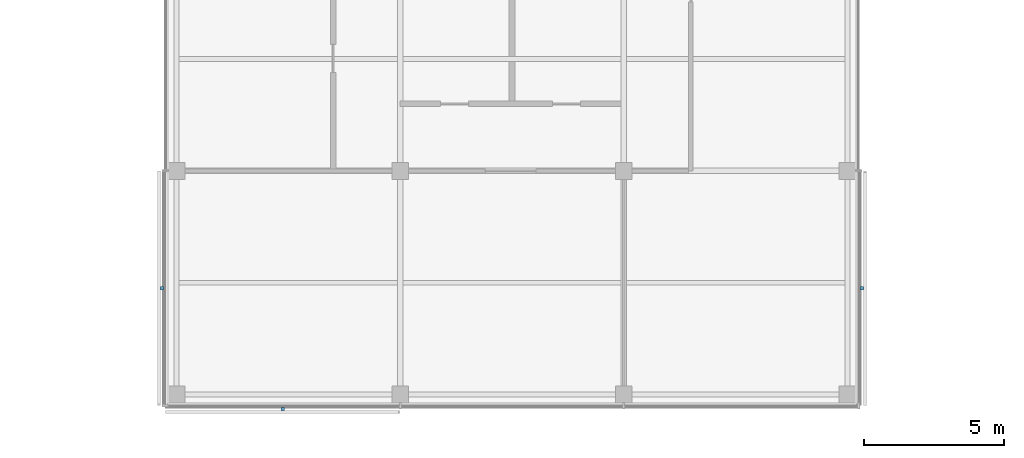
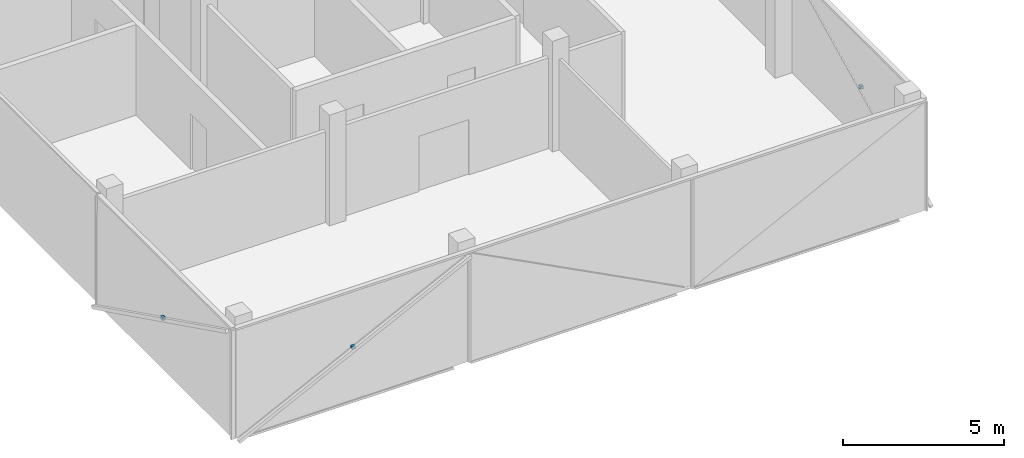
# One storey, part 13 of 15: 3 discrete accessories.
"""IFC4 building model written with IfcOpenShell, lengths in metres."""

import ifcopenshell
import ifcopenshell.guid

model = None  # the IFC model being written
_history = None  # IfcOwnerHistory: only IFC2X3 demands one
_inside = {}  # id of a spatial element -> (the spatial element, [elements in it])
_under = {}  # id of a project, library or spatial element -> (it, [spatial elements below it])
_declared = {}  # id of a project -> (the project, [libraries it declares])
_typed = {}  # id of a type object -> (the type object, [elements of that type])
_made_of = {}  # id of a material, layer set ... -> (it, [elements and type objects made of it])


def new_model(schema):
    """Start an empty IFC model of exactly this schema.

    Asked for "IFC4X3", IfcOpenShell would pick the latest addendum, in which some entities
    have other attributes; the version numbers below select the first issue.
    IFC2X3 requires an IfcOwnerHistory on every rooted entity: one is made here for all.
    """
    global model, _history
    if schema == "IFC4X3":
        model = ifcopenshell.file(schema_version=(4, 3, 0, 0))
    else:
        model = ifcopenshell.file(schema=schema)
    _inside.clear()
    _under.clear()
    _declared.clear()
    _typed.clear()
    _made_of.clear()
    _history = None
    if model.schema == "IFC2X3":
        org = make("IfcOrganization", Name="unknown")
        user = make(
            "IfcPersonAndOrganization",
            ThePerson=make("IfcPerson", FamilyName="unknown"),
            TheOrganization=org,
        )
        app = make(
            "IfcApplication",
            ApplicationDeveloper=org,
            Version="unknown",
            ApplicationFullName="unknown",
            ApplicationIdentifier="unknown",
        )
        _history = make(
            "IfcOwnerHistory",
            OwningUser=user,
            OwningApplication=app,
            ChangeAction="ADDED",
            CreationDate=0,
        )
    return model


def make(cls, **values):
    """One entity of the class cls with the attributes given. An attribute that is None is left unset."""
    return model.create_entity(
        cls, **{name: value for name, value in values.items() if value is not None}
    )


def rooted(cls, **values):
    """An entity with a GlobalId (a new one), such as an element, a storey or a relation."""
    return make(cls, GlobalId=ifcopenshell.guid.new(), OwnerHistory=_history, **values)


def si_unit(unit_type, name, prefix=None):
    """IfcSIUnit, for example si_unit("LENGTHUNIT", "METRE", prefix="MILLI")."""
    return make("IfcSIUnit", UnitType=unit_type, Prefix=prefix, Name=name)


def assignment(units):
    """IfcUnitAssignment: the units of a project."""
    return None if units is None else make("IfcUnitAssignment", Units=units)


def point(xyz):
    """IfcCartesianPoint."""
    return None if xyz is None else make("IfcCartesianPoint", Coordinates=xyz)


def direction(xyz):
    """IfcDirection."""
    return None if xyz is None else make("IfcDirection", DirectionRatios=xyz)


def frame(location, z_axis=None, x_axis=None):
    """IfcAxis2Placement3D, a coordinate frame: its origin and axes. An axis left out is left unset."""
    return make(
        "IfcAxis2Placement3D",
        Location=point(location),
        Axis=direction(z_axis),
        RefDirection=direction(x_axis),
    )


def frame_2d(location, x_axis=None):
    """IfcAxis2Placement2D, a coordinate frame in the plane: its origin and x axis."""
    return make(
        "IfcAxis2Placement2D", Location=point(location), RefDirection=direction(x_axis)
    )


def origin():
    """The frame at (0, 0, 0) with its axes left unset."""
    return frame((0.0, 0.0, 0.0))


def origin_2d():
    """The frame at (0, 0) in the plane with its x axis left unset."""
    return frame_2d((0.0, 0.0))


def place(relative_to, where):
    """IfcLocalPlacement: puts the frame where relative to a parent placement (None: the world)."""
    return make(
        "IfcLocalPlacement", PlacementRelTo=relative_to, RelativePlacement=where
    )


def context(
    kind, dimensions, precision=None, world=None, true_north=None, identifier=None
):
    """IfcGeometricRepresentationContext, for example the 3D "Model" context."""
    return make(
        "IfcGeometricRepresentationContext",
        ContextIdentifier=identifier,
        ContextType=kind,
        CoordinateSpaceDimension=dimensions,
        Precision=precision,
        WorldCoordinateSystem=world,
        TrueNorth=true_north,
    )


def subcontext(parent, identifier, kind, view, scale=None):
    """IfcGeometricRepresentationSubContext, for example "Body" below "Model"."""
    return make(
        "IfcGeometricRepresentationSubContext",
        ContextIdentifier=identifier,
        ContextType=kind,
        ParentContext=parent,
        TargetScale=scale,
        TargetView=view,
    )


def project(units=None, contexts=None):
    """IfcProject with its units and contexts."""
    return rooted(
        "IfcProject",
        Name="project",
        RepresentationContexts=contexts,
        UnitsInContext=assignment(units),
    )


def spatial(cls, under=None, at=None, **own):
    """A site, building, storey or space (cls), placed at a placement, below another one or the project."""
    s = rooted(cls, ObjectPlacement=at, **own)
    if under is not None:
        _under.setdefault(under.id(), (under, []))[1].append(s)
    return s


def profile(cls, at=None, kind="AREA", **sizes):
    """A parametric profile (cls). Its sizes go by their IFC names, for example OverallWidth=200.0."""
    return make(cls, ProfileType=kind, Position=at, **sizes)


def rectangle(**sizes):
    """IfcRectangleProfileDef."""
    return profile("IfcRectangleProfileDef", **sizes)


def extrude(swept, where, along, depth):
    """IfcExtrudedAreaSolid: the profile swept, set in the frame where, extruded along a direction by depth."""
    return make(
        "IfcExtrudedAreaSolid",
        SweptArea=swept,
        Position=where,
        ExtrudedDirection=direction(along),
        Depth=depth,
    )


def shape(context_of_items, identifier, shape_type, items):
    """IfcShapeRepresentation: the items that make up one representation, for example the "Body"."""
    return make(
        "IfcShapeRepresentation",
        ContextOfItems=context_of_items,
        RepresentationIdentifier=identifier,
        RepresentationType=shape_type,
        Items=items,
    )


def material(Name=None, Category=None):
    """IfcMaterial."""
    return make("IfcMaterial", Name=Name, Category=Category)


def made_of(thing, what):
    """Note that an element or type object is made of a material, layer set ...; save() writes the relation."""
    if what is not None:
        _made_of.setdefault(what.id(), (what, []))[1].append(thing)
    return thing


def type_object(cls, material=None, **own):
    """A type object (cls), such as IfcWallType, which elements share."""
    return made_of(rooted(cls, **own), material)


def element(
    cls,
    number,
    at=None,
    inside=None,
    cuts=None,
    type_object=None,
    material=None,
    context=None,
    identifier="Body",
    shape_type=None,
    held_by="IfcProductDefinitionShape",
    body=None,
    shapes=None,
    **own,
):
    """One element of the class cls, such as IfcWall. Its Tag is "e" and its number.

    at: its placement. inside: the storey or other place that contains it. cuts: it is an
    opening in that element (IfcRelVoidsElement). A single representation is given by context,
    identifier, shape_type and body (its items); several are given by shapes. held_by: the class
    of the entity that holds the representations. save() writes the other relations.
    """
    e = rooted(cls, Tag="e%d" % number, ObjectPlacement=at, **own)
    if body is not None:
        shapes = [shape(context, identifier, shape_type, body)]
    if shapes is not None:
        e.Representation = make(held_by, Representations=shapes)
    if inside is not None:
        _inside.setdefault(inside.id(), (inside, []))[1].append(e)
    if cuts is not None:
        rooted(
            "IfcRelVoidsElement", RelatingBuildingElement=cuts, RelatedOpeningElement=e
        )
    if type_object is not None:
        _typed.setdefault(type_object.id(), (type_object, []))[1].append(e)
    return made_of(e, material)


def aggregate(whole, parts):
    """IfcRelAggregates: a whole, such as a stair, and the parts it consists of."""
    return rooted("IfcRelAggregates", RelatingObject=whole, RelatedObjects=parts)


def save(model, path):
    """Write the relations noted so far, then the file.

    IfcRelAggregates (storeys below a building ...), IfcRelContainedInSpatialStructure (elements
    in a storey), IfcRelDefinesByType, IfcRelAssociatesMaterial and IfcRelDeclares: one each for
    every whole, place, type object, material and project.
    """
    for whole, parts in _under.values():
        aggregate(whole, parts)
    for where, things in _inside.values():
        rooted(
            "IfcRelContainedInSpatialStructure",
            RelatedElements=things,
            RelatingStructure=where,
        )
    for kind, things in _typed.values():
        rooted("IfcRelDefinesByType", RelatedObjects=things, RelatingType=kind)
    for what, things in _made_of.values():
        rooted("IfcRelAssociatesMaterial", RelatedObjects=things, RelatingMaterial=what)
    for by, libraries in _declared.values():
        rooted("IfcRelDeclares", RelatingContext=by, RelatedDefinitions=libraries)
    model.write(path)


model = new_model("IFC4")

# Units and contexts
model_context = context("Model", 3, precision=1e-05, world=origin(), true_north=direction((0.0, 1.0)))
body_context = subcontext(model_context, "Body", "Model", "MODEL_VIEW")
ifc_project = project(units=[si_unit("LENGTHUNIT", "METRE"), si_unit("AREAUNIT", "SQUARE_METRE"), si_unit("VOLUMEUNIT", "CUBIC_METRE"), si_unit("PLANEANGLEUNIT", "RADIAN"), si_unit("MASSUNIT", "GRAM", prefix="KILO")], contexts=[model_context])

# Site, building, storey
site_placement = place(None, origin())
site = spatial("IfcSite", under=ifc_project, at=site_placement, CompositionType="ELEMENT")
building_placement = place(site_placement, origin())
building = spatial("IfcBuilding", under=site, at=building_placement, Name="Crosswind Convention Tower", CompositionType="ELEMENT")
storey_placement = place(building_placement, frame((0.0, 0.0, 315.5)))
storey = spatial("IfcBuildingStorey", under=building, at=storey_placement, Name="L68", CompositionType="ELEMENT", Elevation=315.5)

# Discrete accessories
ifc_material = material(Name="Stainless steel", Category="steel")
discrete_accessory_type = type_object("IfcDiscreteAccessoryType", Name="BAGUETTE BRACKET BK3", PredefinedType="BRACKET", material=ifc_material)
for number, where, z_axis, x_axis, name in (
    (1, (112.47412109375, 75.794921875, 1.704833984375), (0.0, 0.0, 1.0), (0.0, -1.0, 0.0), "BK3 baguette bracket"),
    (2, (116.794921875, 71.47412109375, 1.704833984375), (0.0, 0.0, 1.0), (1.0, 0.0, 0.0), "BK3 baguette bracket"),
    (3, (137.52587890625, 75.794921875, 1.704833984375), (0.0, 0.0, 1.0), (0.0, 1.0, 0.0), "BK3 baguette bracket"),
):
    element("IfcDiscreteAccessory", number, at=place(storey_placement, frame(where, z_axis=z_axis, x_axis=x_axis)), inside=storey, type_object=discrete_accessory_type, Name=name, PredefinedType="BRACKET", context=body_context, shape_type="SweptSolid", body=[
        extrude(rectangle(XDim=0.1201171875, YDim=0.10009765625, at=origin_2d()), origin(), (0.0, 0.0, 1.0), 0.1201171875),
    ])

save(model, "model.ifc")
